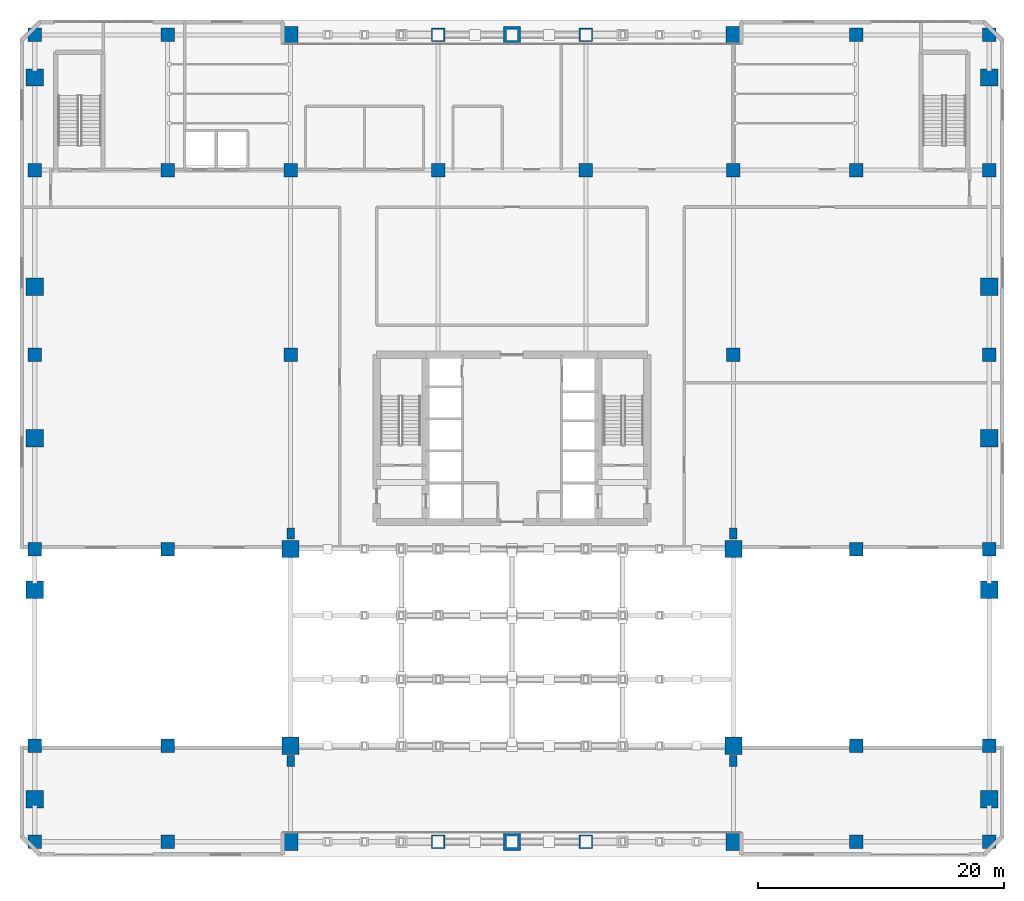
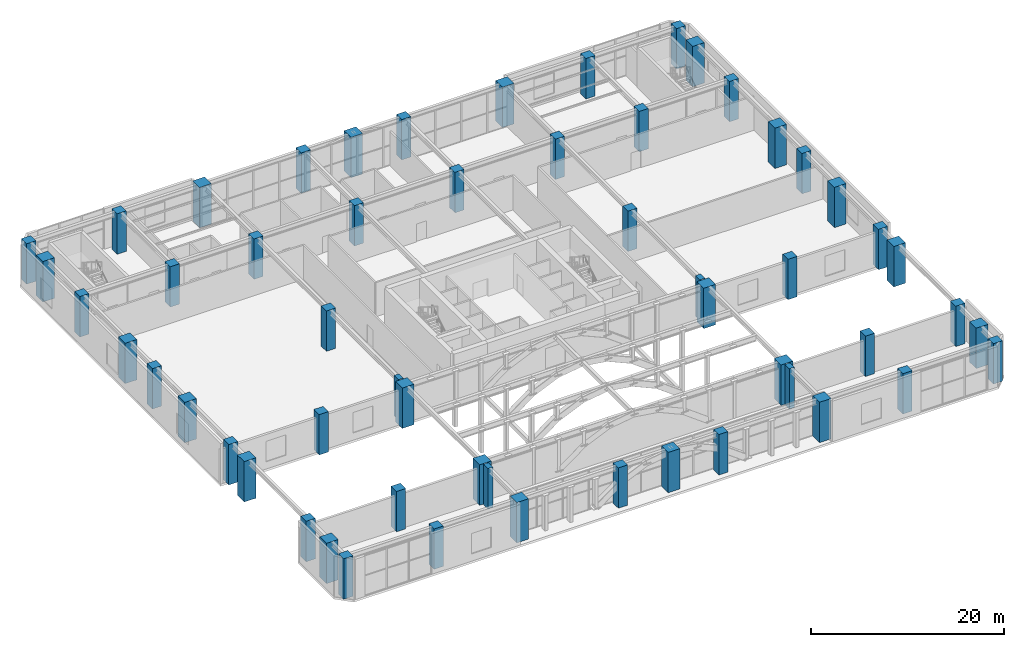
# One storey, part 1 of 32: 56 columns.
"""IFC4 building model written with IfcOpenShell, lengths in metres."""

from ifc_helpers import new_model, si_unit, direction, frame, origin, origin_2d, place, context, subcontext, project, spatial, rectangle, extrude, material, material_profile, profile_set, type_object, element, save


model = new_model("IFC4")

# Units and contexts
model_context = context("Model", 3, precision=1e-05, world=origin(), true_north=direction((0.0, 1.0)))
body_context = subcontext(model_context, "Body", "Model", "MODEL_VIEW")
ifc_project = project(units=[si_unit("LENGTHUNIT", "METRE"), si_unit("AREAUNIT", "SQUARE_METRE"), si_unit("VOLUMEUNIT", "CUBIC_METRE"), si_unit("PLANEANGLEUNIT", "RADIAN"), si_unit("MASSUNIT", "GRAM", prefix="KILO")], contexts=[model_context])

# Site, building, storey
site_placement = place(None, origin())
site = spatial("IfcSite", under=ifc_project, at=site_placement, CompositionType="ELEMENT")
building_placement = place(site_placement, origin())
building = spatial("IfcBuilding", under=site, at=building_placement, Name="Sarneth Arch Tower", CompositionType="ELEMENT")
storey_placement = place(building_placement, frame((0.0, 0.0, 11.39990234375)))
storey = spatial("IfcBuildingStorey", under=building, at=storey_placement, Name="L02", CompositionType="ELEMENT", Elevation=11.39990234375)

# Columns
ifc_material_1 = material(Name="Concrete C60/75", Category="concrete")
ifc_material_profile_1 = material_profile(ifc_material_1, rectangle(XDim=1.10009765625, YDim=1.10009765625, at=origin_2d()), Name="RC-1100x1100")
ifc_profile_set_1 = profile_set([ifc_material_profile_1], Name="Concrete C60/75")
column_type_1 = type_object("IfcColumnType", Name="COL-RC-1100", PredefinedType="COLUMN", material=ifc_profile_set_1)
for number, where, z_axis, x_axis, name in (
    (1, (9.199951171875, 74.800048828125, 0.0), (0.0, 0.0, 1.0), (1.0, 0.0, 0.0), "L02 Podium column PN01"),
    (2, (9.199951171875, 9.199951171875, 0.0), (0.0, 0.0, 1.0), (1.0, 0.0, 0.0), "L02 Podium column PS01"),
    (3, (9.199951171875, 63.800048828125, 0.0), (0.0, 0.0, 1.0), (1.0, 0.0, 0.0), "L02 Podium column PC01"),
    (4, (20.0, 74.800048828125, 0.0), (0.0, 0.0, 1.0), (1.0, 0.0, 0.0), "L02 Podium column PN02"),
    (5, (20.0, 9.199951171875, 0.0), (0.0, 0.0, 1.0), (1.0, 0.0, 0.0), "L02 Podium column PS02"),
    (6, (20.0, 63.800048828125, 0.0), (0.0, 0.0, 1.0), (1.0, 0.0, 0.0), "L02 Podium column PC02"),
    (7, (30.0, 63.800048828125, 0.0), (0.0, 0.0, 1.0), (1.0, 0.0, 0.0), "L02 Podium column PC03"),
    (8, (42.0, 74.800048828125, 0.0), (0.0, 0.0, 1.0), (1.0, 0.0, 0.0), "L02 Podium column PN04"),
    (9, (42.0, 9.199951171875, 0.0), (0.0, 0.0, 1.0), (1.0, 0.0, 0.0), "L02 Podium column PS04"),
    (10, (42.0, 63.800048828125, 0.0), (0.0, 0.0, 1.0), (1.0, 0.0, 0.0), "L02 Podium column PC04"),
    (11, (54.0, 74.800048828125, 0.0), (0.0, 0.0, 1.0), (1.0, 0.0, 0.0), "L02 Podium column PN05"),
    (12, (54.0, 9.199951171875, 0.0), (0.0, 0.0, 1.0), (1.0, 0.0, 0.0), "L02 Podium column PS05"),
    (13, (54.0, 63.800048828125, 0.0), (0.0, 0.0, 1.0), (1.0, 0.0, 0.0), "L02 Podium column PC05"),
    (14, (66.0, 63.800048828125, 0.0), (0.0, 0.0, 1.0), (1.0, 0.0, 0.0), "L02 Podium column PC06"),
    (15, (76.0, 74.800048828125, 0.0), (0.0, 0.0, 1.0), (1.0, 0.0, 0.0), "L02 Podium column PN07"),
    (16, (76.0, 9.199951171875, 0.0), (0.0, 0.0, 1.0), (1.0, 0.0, 0.0), "L02 Podium column PS07"),
    (17, (76.0, 63.800048828125, 0.0), (0.0, 0.0, 1.0), (1.0, 0.0, 0.0), "L02 Podium column PC07"),
    (18, (86.800048828125, 74.800048828125, 0.0), (0.0, 0.0, 1.0), (1.0, 0.0, 0.0), "L02 Podium column PN08"),
    (19, (86.800048828125, 9.199951171875, 0.0), (0.0, 0.0, 1.0), (1.0, 0.0, 0.0), "L02 Podium column PS08"),
    (20, (86.800048828125, 63.800048828125, 0.0), (0.0, 0.0, 1.0), (1.0, 0.0, 0.0), "L02 Podium column PC08"),
    (21, (9.199951171875, 17.0, 0.0), (0.0, 0.0, 1.0), (1.0, 0.0, 0.0), "L02 Podium column PW01"),
    (22, (86.800048828125, 17.0, 0.0), (0.0, 0.0, 1.0), (1.0, 0.0, 0.0), "L02 Podium column PE01"),
    (23, (9.199951171875, 33.0, 0.0), (0.0, 0.0, 1.0), (1.0, 0.0, 0.0), "L02 Podium column PW02"),
    (24, (86.800048828125, 33.0, 0.0), (0.0, 0.0, 1.0), (1.0, 0.0, 0.0), "L02 Podium column PE02"),
    (25, (9.199951171875, 48.800048828125, 0.0), (0.0, 0.0, 1.0), (1.0, 0.0, 0.0), "L02 Podium column PW03"),
    (26, (86.800048828125, 48.800048828125, 0.0), (0.0, 0.0, 1.0), (1.0, 0.0, 0.0), "L02 Podium column PE03"),
    (27, (20.0, 17.0, 0.0), (0.0, 0.0, 1.0), (1.0, 0.0, 0.0), "L02 Podium column AS-W1"),
    (28, (76.0, 17.0, 0.0), (0.0, 0.0, 1.0), (1.0, 0.0, 0.0), "L02 Podium column AS-E1"),
    (29, (20.0, 33.0, 0.0), (0.0, 0.0, 1.0), (1.0, 0.0, 0.0), "L02 Podium column AN-W1"),
    (30, (76.0, 33.0, 0.0), (0.0, 0.0, 1.0), (1.0, 0.0, 0.0), "L02 Podium column AN-E1"),
    (31, (30.0, 48.800048828125, 0.0), (0.0, 0.0, 1.0), (1.0, 0.0, 0.0), "L02 Podium column WC-W1"),
    (32, (66.0, 48.800048828125, 0.0), (0.0, 0.0, 1.0), (1.0, 0.0, 0.0), "L02 Podium column WC-E1"),
):
    element("IfcColumn", number, at=place(storey_placement, frame(where, z_axis=z_axis, x_axis=x_axis)), inside=storey, type_object=column_type_1, Name=name, PredefinedType="COLUMN", context=body_context, shape_type="SweptSolid", body=[
        extrude(rectangle(XDim=1.10009765625, YDim=1.10009765625, at=origin_2d()), origin(), (0.0, 0.0, 1.0), 5.10009765625),
    ])
ifc_material_2 = material(Name="Concrete C60/75", Category="concrete")
ifc_material_profile_2 = material_profile(ifc_material_2, rectangle(XDim=1.39990234375, YDim=1.39990234375, at=origin_2d()), Name="RC-1400x1400")
ifc_profile_set_2 = profile_set([ifc_material_profile_2], Name="Concrete C60/75")
column_type_2 = type_object("IfcColumnType", Name="COL-RC-1400", PredefinedType="COLUMN", material=ifc_profile_set_2)
for number, where, z_axis, x_axis, name in (
    (33, (30.0, 17.0, 0.0), (0.0, 0.0, 1.0), (1.0, 0.0, 0.0), "L02 Podium column AP-SW"),
    (34, (66.0, 17.0, 0.0), (0.0, 0.0, 1.0), (1.0, 0.0, 0.0), "L02 Podium column AP-SE"),
    (35, (30.0, 33.0, 0.0), (0.0, 0.0, 1.0), (1.0, 0.0, 0.0), "L02 Podium column AP-NW"),
    (36, (66.0, 33.0, 0.0), (0.0, 0.0, 1.0), (1.0, 0.0, 0.0), "L02 Podium column AP-NE"),
    (37, (86.800048828125, 42.0, 0.0), (0.0, 0.0, 1.0), (1.0, 0.0, 0.0), "L02 Podium column PX01"),
    (38, (86.800048828125, 54.31787109375, 0.0), (0.0, 0.0, 1.0), (1.0, 0.0, 0.0), "L02 Podium column PX02"),
    (39, (86.800048828125, 71.336669921875, 0.0), (0.0, 0.0, 1.0), (1.0, 0.0, 0.0), "L02 Podium column PX03"),
    (40, (66.08447265625, 74.800048828125, 0.0), (0.0, 0.0, 1.0), (1.0, 0.0, 0.0), "L02 Podium column PX04"),
    (41, (48.0, 74.800048828125, 0.0), (0.0, 0.0, 1.0), (1.0, 0.0, 0.0), "L02 Podium column PX05"),
    (42, (29.91552734375, 74.800048828125, 0.0), (0.0, 0.0, 1.0), (1.0, 0.0, 0.0), "L02 Podium column PX06"),
    (43, (9.199951171875, 71.336669921875, 0.0), (0.0, 0.0, 1.0), (1.0, 0.0, 0.0), "L02 Podium column PX07"),
    (44, (9.199951171875, 54.31787109375, 0.0), (0.0, 0.0, 1.0), (1.0, 0.0, 0.0), "L02 Podium column PX08"),
    (45, (9.199951171875, 42.0, 0.0), (0.0, 0.0, 1.0), (1.0, 0.0, 0.0), "L02 Podium column PX09"),
    (46, (9.199951171875, 29.68212890625, 0.0), (0.0, 0.0, 1.0), (1.0, 0.0, 0.0), "L02 Podium column PX10"),
    (47, (9.199951171875, 12.663330078125, 0.0), (0.0, 0.0, 1.0), (1.0, 0.0, 0.0), "L02 Podium column PX11"),
    (48, (29.91552734375, 9.199951171875, 0.0), (0.0, 0.0, 1.0), (1.0, 0.0, 0.0), "L02 Podium column PX12"),
    (49, (48.0, 9.199951171875, 0.0), (0.0, 0.0, 1.0), (1.0, 0.0, 0.0), "L02 Podium column PX13"),
    (50, (66.08447265625, 9.199951171875, 0.0), (0.0, 0.0, 1.0), (1.0, 0.0, 0.0), "L02 Podium column PX14"),
    (51, (86.800048828125, 12.663330078125, 0.0), (0.0, 0.0, 1.0), (1.0, 0.0, 0.0), "L02 Podium column PX15"),
    (52, (86.800048828125, 29.68212890625, 0.0), (0.0, 0.0, 1.0), (1.0, 0.0, 0.0), "L02 Podium column PX16"),
):
    element("IfcColumn", number, at=place(storey_placement, frame(where, z_axis=z_axis, x_axis=x_axis)), inside=storey, type_object=column_type_2, Name=name, PredefinedType="COLUMN", context=body_context, shape_type="SweptSolid", body=[
        extrude(rectangle(XDim=1.39990234375, YDim=1.39990234375, at=origin_2d()), origin(), (0.0, 0.0, 1.0), 5.10009765625),
    ])
ifc_material_3 = material(Name="Concrete C60/75", Category="concrete")
ifc_material_profile_3 = material_profile(ifc_material_3, rectangle(XDim=0.60009765625, YDim=0.89990234375, at=origin_2d()), Name="RC-600x900")
ifc_profile_set_3 = profile_set([ifc_material_profile_3], Name="Concrete C60/75")
column_type_3 = type_object("IfcColumnType", Name="PIL-RC-600x900", PredefinedType="PILASTER", material=ifc_profile_set_3)
for number, where, z_axis, x_axis, name in (
    (53, (30.0, 15.75, 0.0), (0.0, 0.0, 1.0), (1.0, 0.0, 0.0), "L02 Arch pilaster PIL-SW"),
    (54, (30.0, 34.25, 0.0), (0.0, 0.0, 1.0), (1.0, 0.0, 0.0), "L02 Arch pilaster PIL-NW"),
    (55, (66.0, 15.75, 0.0), (0.0, 0.0, 1.0), (1.0, 0.0, 0.0), "L02 Arch pilaster PIL-SE"),
    (56, (66.0, 34.25, 0.0), (0.0, 0.0, 1.0), (1.0, 0.0, 0.0), "L02 Arch pilaster PIL-NE"),
):
    element("IfcColumn", number, at=place(storey_placement, frame(where, z_axis=z_axis, x_axis=x_axis)), inside=storey, type_object=column_type_3, Name=name, PredefinedType="PILASTER", context=body_context, shape_type="SweptSolid", body=[
        extrude(rectangle(XDim=0.60009765625, YDim=0.89990234375, at=origin_2d()), origin(), (0.0, 0.0, 1.0), 5.10009765625),
    ])

save(model, "model.ifc")
